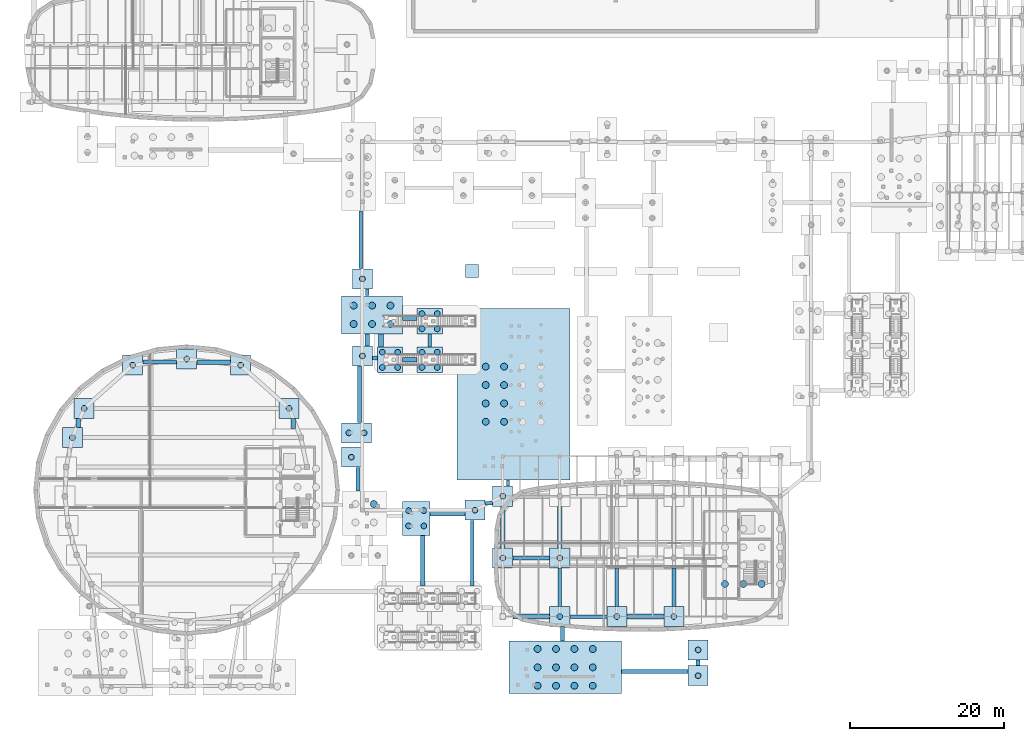
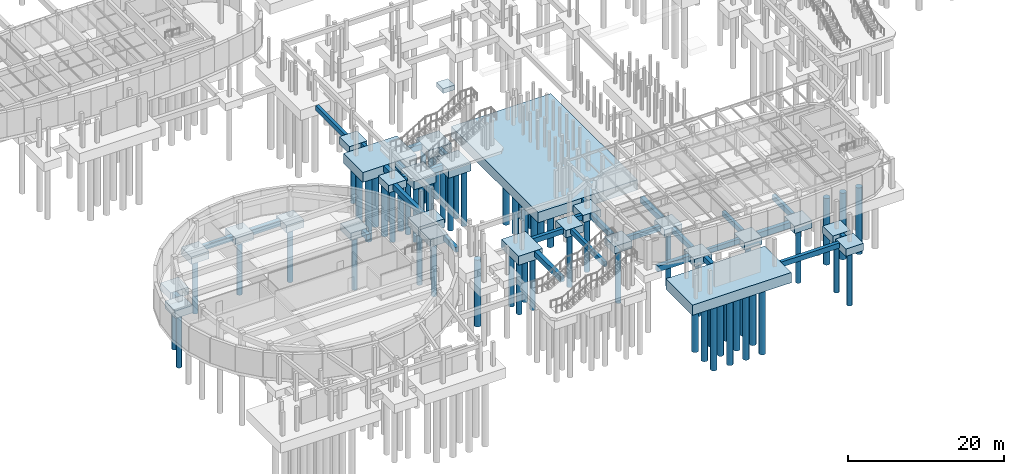
# One storey, part 2 of 45: 66 piles, 58 footings.
"""IFC4 building model written with IfcOpenShell, lengths in metres."""

from ifc_helpers import new_model, si_unit, direction, frame, origin, origin_2d, place, context, subcontext, project, spatial, rectangle, circle, extrude, material, material_profile, profile_set, type_object, element, save


model = new_model("IFC4")

# Units and contexts
model_context = context("Model", 3, precision=1e-05, world=origin(), true_north=direction((0.0, 1.0)))
body_context = subcontext(model_context, "Body", "Model", "MODEL_VIEW")
ifc_project = project(units=[si_unit("LENGTHUNIT", "METRE"), si_unit("AREAUNIT", "SQUARE_METRE"), si_unit("VOLUMEUNIT", "CUBIC_METRE"), si_unit("PLANEANGLEUNIT", "RADIAN"), si_unit("MASSUNIT", "GRAM", prefix="KILO")], contexts=[model_context])

# Site, building, storey
site_placement = place(None, origin())
site = spatial("IfcSite", under=ifc_project, at=site_placement, CompositionType="ELEMENT")
building_placement = place(site_placement, origin())
building = spatial("IfcBuilding", under=site, at=building_placement, Name="Corveleigh Park Community Centre", CompositionType="ELEMENT")
storey_placement = place(building_placement, frame((0.0, 0.0, -4.199951171875)))
storey = spatial("IfcBuildingStorey", under=building, at=storey_placement, Name="B1", CompositionType="ELEMENT", Elevation=-4.199951171875)

# Footings
ifc_material_1 = material(Name="Concrete C40/50", Category="concrete")
footing_type_1 = type_object("IfcFootingType", Name="FTG-GB-450x750", PredefinedType="FOOTING_BEAM", material=ifc_material_1)
footing_1_placement = place(storey_placement, frame((54.427978515625, 53.25, -1.1650390625), z_axis=(0.0, 0.0, 1.0), x_axis=(1.0, 0.0, 0.0)))
element("IfcFooting", 1, at=footing_1_placement, inside=storey, type_object=footing_type_1, Name="Ground tie beam 57", PredefinedType="FOOTING_BEAM", context=body_context, shape_type="SweptSolid", body=[
    extrude(rectangle(XDim=0.449951171875, YDim=0.860107421875, at=origin_2d()), origin(), (0.0, 0.0, 1.0), 0.75),
])
footing_2_placement = place(storey_placement, frame((53.556884765625, 60.074951171875, -1.1650390625), z_axis=(0.0, 0.0, 1.0), x_axis=(1.0, 0.0, 0.0)))
element("IfcFooting", 2, at=footing_2_placement, inside=storey, type_object=footing_type_1, Name="Ground tie beam 65", PredefinedType="FOOTING_BEAM", context=body_context, shape_type="SweptSolid", body=[
    extrude(rectangle(XDim=0.449951171875, YDim=7.509033203125, at=origin_2d()), origin(), (0.0, 0.0, 1.0), 0.75),
])
footing_3_placement = place(storey_placement, frame((62.52001953125, 47.0, -1.1650390625), z_axis=(0.0, 0.0, 1.0), x_axis=(1.0, 0.0, 0.0)))
element("IfcFooting", 3, at=footing_3_placement, inside=storey, type_object=footing_type_1, Name="Ground tie beam 81", PredefinedType="FOOTING_BEAM", context=body_context, shape_type="SweptSolid", body=[
    extrude(rectangle(XDim=0.449951171875, YDim=1.699951171875, at=origin_2d()), origin(), (0.0, 0.0, 1.0), 0.75),
])
footing_4_placement = place(storey_placement, frame((68.031982421875, 19.4150390625, -1.1650390625), z_axis=(0.0, 0.0, 1.0), x_axis=(1.0, 0.0, 0.0)))
element("IfcFooting", 4, at=footing_4_placement, inside=storey, type_object=footing_type_1, Name="Ground tie beam 85", PredefinedType="FOOTING_BEAM", context=body_context, shape_type="SweptSolid", body=[
    extrude(rectangle(XDim=0.449951171875, YDim=8.530029296875, at=origin_2d()), origin(), (0.0, 0.0, 1.0), 0.75),
])
footing_5_placement = place(storey_placement, frame((72.68505859375, 28.52099609375, -1.1650390625), z_axis=(0.0, 0.0, 1.0), x_axis=(1.0, 0.0, 0.0)))
element("IfcFooting", 5, at=footing_5_placement, inside=storey, type_object=footing_type_1, Name="Ground tie beam 93", PredefinedType="FOOTING_BEAM", context=body_context, shape_type="SweptSolid", body=[
    extrude(rectangle(XDim=0.449951171875, YDim=0.802001953125, at=origin_2d()), origin(), (0.0, 0.0, 1.0), 0.75),
])
footing_6_placement = place(storey_placement, frame((83.10009765625, 11.199951171875, -1.1650390625), z_axis=(0.0, 0.0, 1.0), x_axis=(1.0, 0.0, 0.0)))
element("IfcFooting", 6, at=footing_6_placement, inside=storey, type_object=footing_type_1, Name="Ground tie beam 97", PredefinedType="FOOTING_BEAM", context=body_context, shape_type="SweptSolid", body=[
    extrude(rectangle(XDim=4.760009765625, YDim=0.449951171875, at=origin_2d()), origin(), (0.0, 0.0, 1.0), 0.75),
])
footing_7_placement = place(storey_placement, frame((86.800048828125, 15.0, -1.1650390625), z_axis=(0.0, 0.0, 1.0), x_axis=(1.0, 0.0, 0.0)))
element("IfcFooting", 7, at=footing_7_placement, inside=storey, type_object=footing_type_1, Name="Ground tie beam 109", PredefinedType="FOOTING_BEAM", context=body_context, shape_type="SweptSolid", body=[
    extrude(rectangle(XDim=0.449951171875, YDim=4.9599609375, at=origin_2d()), origin(), (0.0, 0.0, 1.0), 0.75),
])
footing_type_2 = type_object("IfcFootingType", Name="FTG-GB-500x800", PredefinedType="FOOTING_BEAM", material=ifc_material_1)
footing_8_placement = place(storey_placement, frame((27.5, 44.199951171875, -1.21484375), z_axis=(0.0, 0.0, 1.0), x_axis=(1.0, 0.0, 0.0)))
element("IfcFooting", 8, at=footing_8_placement, inside=storey, type_object=footing_type_2, Name="Ground tie beam 26", PredefinedType="FOOTING_BEAM", context=body_context, shape_type="SweptSolid", body=[
    extrude(rectangle(XDim=4.360107421875, YDim=0.5, at=origin_2d()), origin(), (0.0, 0.0, 1.0), 0.800048828125),
])
footing_9_placement = place(storey_placement, frame((53.22705078125, 29.011962890625, -1.21484375), z_axis=(0.0, 0.0, 1.0), x_axis=(1.0, 0.0, 0.0)))
element("IfcFooting", 9, at=footing_9_placement, inside=storey, type_object=footing_type_2, Name="Ground tie beam 62", PredefinedType="FOOTING_BEAM", context=body_context, shape_type="SweptSolid", body=[
    extrude(rectangle(XDim=0.5, YDim=3.070068359375, at=origin_2d()), origin(), (0.0, 0.0, 1.0), 0.800048828125),
])
footing_10_placement = place(storey_placement, frame((64.824951171875, 24.47412109375, -1.21484375), z_axis=(0.0, 0.0, 1.0), x_axis=(1.0, 0.0, 0.0)))
element("IfcFooting", 10, at=footing_10_placement, inside=storey, type_object=footing_type_2, Name="Ground tie beam 74", PredefinedType="FOOTING_BEAM", context=body_context, shape_type="SweptSolid", body=[
    extrude(rectangle(XDim=4.510009765625, YDim=0.5, at=origin_2d()), origin(), (0.0, 0.0, 1.0), 0.800048828125),
])
footing_11_placement = place(storey_placement, frame((70.199951171875, 25.89990234375, -1.21484375), z_axis=(0.0, 0.0, 1.0), x_axis=(1.0, 0.0, 0.0)))
element("IfcFooting", 11, at=footing_11_placement, inside=storey, type_object=footing_type_2, Name="Ground tie beam 86", PredefinedType="FOOTING_BEAM", context=body_context, shape_type="SweptSolid", body=[
    extrude(rectangle(XDim=0.9599609375, YDim=0.5, at=origin_2d()), origin(), (0.0, 0.0, 1.0), 0.800048828125),
])
footing_12_placement = place(storey_placement, frame((75.699951171875, 18.800048828125, -1.21484375), z_axis=(0.0, 0.0, 1.0), x_axis=(1.0, 0.0, 0.0)))
element("IfcFooting", 12, at=footing_12_placement, inside=storey, type_object=footing_type_2, Name="Ground tie beam 90", PredefinedType="FOOTING_BEAM", context=body_context, shape_type="SweptSolid", body=[
    extrude(rectangle(XDim=4.760009765625, YDim=0.5, at=origin_2d()), origin(), (0.0, 0.0, 1.0), 0.800048828125),
])
footing_13_placement = place(storey_placement, frame((91.720947265625, 4.072021484375, -1.21484375), z_axis=(0.0, 0.0, 1.0), x_axis=(1.0, 0.0, 0.0)))
element("IfcFooting", 13, at=footing_13_placement, inside=storey, type_object=footing_type_2, Name="Ground tie beam 94", PredefinedType="FOOTING_BEAM", context=body_context, shape_type="SweptSolid", body=[
    extrude(rectangle(XDim=8.593994140625, YDim=0.5, at=origin_2d()), origin(), (0.0, 0.0, 1.0), 0.800048828125),
])
for number, where, z_axis, x_axis, name in (
    (14, (79.39990234375, 15.0, -1.21484375), (0.0, 0.0, 1.0), (1.0, 0.0, 0.0), "Ground tie beam 98"),
    (15, (94.199951171875, 15.0, -1.21484375), (0.0, 0.0, 1.0), (1.0, 0.0, 0.0), "Ground tie beam 118"),
):
    element("IfcFooting", number, at=place(storey_placement, frame(where, z_axis=z_axis, x_axis=x_axis)), inside=storey, type_object=footing_type_2, Name=name, PredefinedType="FOOTING_BEAM", context=body_context, shape_type="SweptSolid", body=[
        extrude(rectangle(XDim=0.5, YDim=4.9599609375, at=origin_2d()), origin(), (0.0, 0.0, 1.0), 0.800048828125),
    ])
footing_type_3 = type_object("IfcFootingType", Name="FTG-GB-550x850", PredefinedType="FOOTING_BEAM", material=ifc_material_1)
footing_14_placement = place(storey_placement, frame((44.844970703125, 36.22509765625, -1.26513671875), z_axis=(0.0, 0.0, 1.0), x_axis=(1.0, 0.0, 0.0)))
element("IfcFooting", 16, at=footing_14_placement, inside=storey, type_object=footing_type_3, Name="Ground tie beam 47", PredefinedType="FOOTING_BEAM", context=body_context, shape_type="SweptSolid", body=[
    extrude(rectangle(XDim=0.550048828125, YDim=1.31005859375, at=origin_2d()), origin(), (0.0, 0.0, 1.0), 0.85009765625),
])
footing_15_placement = place(storey_placement, frame((53.4150390625, 40.010009765625, -1.26513671875), z_axis=(0.0, 0.0, 1.0), x_axis=(1.0, 0.0, 0.0)))
element("IfcFooting", 17, at=footing_15_placement, inside=storey, type_object=footing_type_3, Name="Ground tie beam 55", PredefinedType="FOOTING_BEAM", context=body_context, shape_type="SweptSolid", body=[
    extrude(rectangle(XDim=0.550048828125, YDim=7.341064453125, at=origin_2d()), origin(), (0.0, 0.0, 1.0), 0.85009765625),
])
footing_16_placement = place(storey_placement, frame((55.425048828125, 44.75, -1.26513671875), z_axis=(0.0, 0.0, 1.0), x_axis=(1.0, 0.0, 0.0)))
element("IfcFooting", 18, at=footing_16_placement, inside=storey, type_object=footing_type_3, Name="Ground tie beam 63", PredefinedType="FOOTING_BEAM", context=body_context, shape_type="SweptSolid", body=[
    extrude(rectangle(XDim=0.610107421875, YDim=0.550048828125, at=origin_2d()), origin(), (0.0, 0.0, 1.0), 0.85009765625),
])
footing_17_placement = place(storey_placement, frame((59.93994140625, 44.5, -1.26513671875), z_axis=(0.0, 0.0, 1.0), x_axis=(1.0, 0.0, 0.0)))
element("IfcFooting", 19, at=footing_17_placement, inside=storey, type_object=footing_type_3, Name="Ground tie beam 71", PredefinedType="FOOTING_BEAM", context=body_context, shape_type="SweptSolid", body=[
    extrude(rectangle(XDim=1.840087890625, YDim=0.550048828125, at=origin_2d()), origin(), (0.0, 0.0, 1.0), 0.85009765625),
])
footing_18_placement = place(storey_placement, frame((72.0, 22.800048828125, -1.26513671875), z_axis=(0.0, 0.0, 1.0), x_axis=(1.0, 0.0, 0.0)))
element("IfcFooting", 20, at=footing_18_placement, inside=storey, type_object=footing_type_3, Name="Ground tie beam 91", PredefinedType="FOOTING_BEAM", context=body_context, shape_type="SweptSolid", body=[
    extrude(rectangle(XDim=0.550048828125, YDim=5.360107421875, at=origin_2d()), origin(), (0.0, 0.0, 1.0), 0.85009765625),
])
footing_19_placement = place(storey_placement, frame((79.7509765625, 8.9580078125, -1.26513671875), z_axis=(0.0, 0.0, 1.0), x_axis=(1.0, 0.0, 0.0)))
element("IfcFooting", 21, at=footing_19_placement, inside=storey, type_object=footing_type_3, Name="Ground tie beam 95", PredefinedType="FOOTING_BEAM", context=body_context, shape_type="SweptSolid", body=[
    extrude(rectangle(XDim=0.550048828125, YDim=1.843017578125, at=origin_2d()), origin(), (0.0, 0.0, 1.0), 0.85009765625),
])
footing_20_placement = place(storey_placement, frame((97.337890625, 5.201904296875, -1.26513671875), z_axis=(0.0, 0.0, 1.0), x_axis=(1.0, 0.0, 0.0)))
element("IfcFooting", 22, at=footing_20_placement, inside=storey, type_object=footing_type_3, Name="Ground tie beam 123", PredefinedType="FOOTING_BEAM", context=body_context, shape_type="SweptSolid", body=[
    extrude(rectangle(XDim=0.550048828125, YDim=0.69091796875, at=origin_2d()), origin(), (0.0, 0.0, 1.0), 0.85009765625),
])
footing_type_4 = type_object("IfcFootingType", Name="FTG-GB-600x900", PredefinedType="FOOTING_BEAM", material=ifc_material_1)
footing_21_placement = place(storey_placement, frame((16.946044921875, 36.300048828125, -1.31494140625), z_axis=(0.0, 0.0, 1.0), x_axis=(1.0, 0.0, 0.0)))
element("IfcFooting", 23, at=footing_21_placement, inside=storey, type_object=footing_type_4, Name="Ground tie beam 12", PredefinedType="FOOTING_BEAM", context=body_context, shape_type="SweptSolid", body=[
    extrude(rectangle(XDim=0.60009765625, YDim=1.159912109375, at=origin_2d()), origin(), (0.0, 0.0, 1.0), 0.89990234375),
])
footing_22_placement = place(storey_placement, frame((34.5, 44.199951171875, -1.31494140625), z_axis=(0.0, 0.0, 1.0), x_axis=(1.0, 0.0, 0.0)))
element("IfcFooting", 24, at=footing_22_placement, inside=storey, type_object=footing_type_4, Name="Ground tie beam 36", PredefinedType="FOOTING_BEAM", context=body_context, shape_type="SweptSolid", body=[
    extrude(rectangle(XDim=4.360107421875, YDim=0.60009765625, at=origin_2d()), origin(), (0.0, 0.0, 1.0), 0.89990234375),
])
footing_23_placement = place(storey_placement, frame((59.93994140625, 49.91796875, -1.31494140625), z_axis=(0.0, 0.0, 1.0), x_axis=(1.0, 0.0, 0.0)))
element("IfcFooting", 25, at=footing_23_placement, inside=storey, type_object=footing_type_4, Name="Ground tie beam 56", PredefinedType="FOOTING_BEAM", context=body_context, shape_type="SweptSolid", body=[
    extrude(rectangle(XDim=1.840087890625, YDim=0.60009765625, at=origin_2d()), origin(), (0.0, 0.0, 1.0), 0.89990234375),
])
footing_24_placement = place(storey_placement, frame((54.427978515625, 47.0849609375, -1.31494140625), z_axis=(0.0, 0.0, 1.0), x_axis=(1.0, 0.0, 0.0)))
element("IfcFooting", 26, at=footing_24_placement, inside=storey, type_object=footing_type_4, Name="Ground tie beam 64", PredefinedType="FOOTING_BEAM", context=body_context, shape_type="SweptSolid", body=[
    extrude(rectangle(XDim=0.60009765625, YDim=1.530029296875, at=origin_2d()), origin(), (0.0, 0.0, 1.0), 0.89990234375),
])
footing_25_placement = place(storey_placement, frame((56.215087890625, 47.0, -1.31494140625), z_axis=(0.0, 0.0, 1.0), x_axis=(1.0, 0.0, 0.0)))
element("IfcFooting", 27, at=footing_25_placement, inside=storey, type_object=footing_type_4, Name="Ground tie beam 72", PredefinedType="FOOTING_BEAM", context=body_context, shape_type="SweptSolid", body=[
    extrude(rectangle(XDim=0.60009765625, YDim=1.699951171875, at=origin_2d()), origin(), (0.0, 0.0, 1.0), 0.89990234375),
])
footing_26_placement = place(storey_placement, frame((61.64892578125, 18.43701171875, -1.31494140625), z_axis=(0.0, 0.0, 1.0), x_axis=(1.0, 0.0, 0.0)))
element("IfcFooting", 28, at=footing_26_placement, inside=storey, type_object=footing_type_4, Name="Ground tie beam 80", PredefinedType="FOOTING_BEAM", context=body_context, shape_type="SweptSolid", body=[
    extrude(rectangle(XDim=0.60009765625, YDim=6.572998046875, at=origin_2d()), origin(), (0.0, 0.0, 1.0), 0.89990234375),
])
footing_27_placement = place(storey_placement, frame((75.699951171875, 11.199951171875, -1.31494140625), z_axis=(0.0, 0.0, 1.0), x_axis=(1.0, 0.0, 0.0)))
element("IfcFooting", 29, at=footing_27_placement, inside=storey, type_object=footing_type_4, Name="Ground tie beam 88", PredefinedType="FOOTING_BEAM", context=body_context, shape_type="SweptSolid", body=[
    extrude(rectangle(XDim=4.760009765625, YDim=0.60009765625, at=origin_2d()), origin(), (0.0, 0.0, 1.0), 0.89990234375),
])
footing_28_placement = place(storey_placement, frame((79.39990234375, 22.800048828125, -1.31494140625), z_axis=(0.0, 0.0, 1.0), x_axis=(1.0, 0.0, 0.0)))
element("IfcFooting", 30, at=footing_28_placement, inside=storey, type_object=footing_type_4, Name="Ground tie beam 100", PredefinedType="FOOTING_BEAM", context=body_context, shape_type="SweptSolid", body=[
    extrude(rectangle(XDim=0.60009765625, YDim=5.360107421875, at=origin_2d()), origin(), (0.0, 0.0, 1.0), 0.89990234375),
])
footing_29_placement = place(storey_placement, frame((90.5, 11.199951171875, -1.31494140625), z_axis=(0.0, 0.0, 1.0), x_axis=(1.0, 0.0, 0.0)))
element("IfcFooting", 31, at=footing_29_placement, inside=storey, type_object=footing_type_4, Name="Ground tie beam 108", PredefinedType="FOOTING_BEAM", context=body_context, shape_type="SweptSolid", body=[
    extrude(rectangle(XDim=4.760009765625, YDim=0.60009765625, at=origin_2d()), origin(), (0.0, 0.0, 1.0), 0.89990234375),
])
footing_type_5 = type_object("IfcFootingType", Name="FTG-PAD-1700", PredefinedType="PAD_FOOTING", material=ifc_material_1)
footing_30_placement = place(storey_placement, frame((68.0, 56.0, 1.8798828125), z_axis=(0.0, 0.0, 1.0), x_axis=(1.0, 0.0, 0.0)))
element("IfcFooting", 32, at=footing_30_placement, inside=storey, type_object=footing_type_5, Name="Landscape pavilion pad footing 6", PredefinedType="PAD_FOOTING", context=body_context, shape_type="SweptSolid", body=[
    extrude(rectangle(XDim=1.699951171875, YDim=1.699951171875, at=origin_2d()), origin(), (0.0, 0.0, 1.0), 0.719970703125),
])
footing_type_6 = type_object("IfcFootingType", Name="FTG-PC-2600x2600x1150", PredefinedType="PILE_CAP", material=ifc_material_1)
for number, where, z_axis, x_axis, name in (
    (33, (16.180908203125, 34.39990234375, -1.56494140625), (0.0, 0.0, 1.0), (1.0, 0.0, 0.0), "Pile cap 9"),
    (34, (17.7099609375, 38.199951171875, -1.56494140625), (0.0, 0.0, 1.0), (1.0, 0.0, 0.0), "Pile cap 11"),
    (35, (24.0, 43.800048828125, -1.56494140625), (0.0, 0.0, 1.0), (1.0, 0.0, 0.0), "Pile cap 21"),
    (36, (31.0, 44.60009765625, -1.56494140625), (0.0, 0.0, 1.0), (1.0, 0.0, 0.0), "Pile cap 28"),
    (37, (38.0, 43.800048828125, -1.56494140625), (0.0, 0.0, 1.0), (1.0, 0.0, 0.0), "Pile cap 35"),
    (38, (44.2900390625, 38.199951171875, -1.56494140625), (0.0, 0.0, 1.0), (1.0, 0.0, 0.0), "Pile cap 41"),
    (39, (52.367919921875, 31.866943359375, -1.56494140625), (0.0, 0.0, 1.0), (1.0, 0.0, 0.0), "Pile cap 52"),
    (40, (53.800048828125, 45.0, -1.56494140625), (0.0, 0.0, 1.0), (1.0, 0.0, 0.0), "Pile cap 53"),
    (41, (53.800048828125, 55.0, -1.56494140625), (0.0, 0.0, 1.0), (1.0, 0.0, 0.0), "Pile cap 54"),
    (42, (68.39990234375, 25.0, -1.56494140625), (0.0, 0.0, 1.0), (1.0, 0.0, 0.0), "Pile cap 73"),
    (43, (72.0, 18.800048828125, -1.56494140625), (0.0, 0.0, 1.0), (1.0, 0.0, 0.0), "Pile cap 76"),
    (44, (72.0, 26.800048828125, -1.56494140625), (0.0, 0.0, 1.0), (1.0, 0.0, 0.0), "Pile cap 77"),
    (45, (79.39990234375, 11.199951171875, -1.56494140625), (0.0, 0.0, 1.0), (1.0, 0.0, 0.0), "Pile cap 80"),
    (46, (79.39990234375, 18.800048828125, -1.56494140625), (0.0, 0.0, 1.0), (1.0, 0.0, 0.0), "Pile cap 81"),
    (47, (86.800048828125, 11.199951171875, -1.56494140625), (0.0, 0.0, 1.0), (1.0, 0.0, 0.0), "Pile cap 87"),
    (48, (94.199951171875, 11.199951171875, -1.56494140625), (0.0, 0.0, 1.0), (1.0, 0.0, 0.0), "Pile cap 94"),
    (49, (97.337890625, 3.535888671875, -1.56494140625), (0.0, 0.0, 1.0), (1.0, 0.0, 0.0), "Pile cap 98"),
    (50, (97.337890625, 6.866943359375, -1.56494140625), (0.0, 0.0, 1.0), (1.0, 0.0, 0.0), "Pile cap 99"),
):
    element("IfcFooting", number, at=place(storey_placement, frame(where, z_axis=z_axis, x_axis=x_axis)), inside=storey, type_object=footing_type_6, Name=name, PredefinedType="PILE_CAP", context=body_context, shape_type="SweptSolid", body=[
        extrude(rectangle(XDim=2.60009765625, YDim=2.60009765625, at=origin_2d()), origin(), (0.0, 0.0, 1.0), 1.14990234375),
    ])
footing_type_7 = type_object("IfcFootingType", Name="FTG-PC-3200x3200x1300", PredefinedType="PILE_CAP", material=ifc_material_1)
footing_31_placement = place(storey_placement, frame((57.375, 44.5, -1.71484375), z_axis=(0.0, 0.0, 1.0), x_axis=(1.0, 0.0, 0.0)))
element("IfcFooting", 51, at=footing_31_placement, inside=storey, type_object=footing_type_7, Name="Pile cap 60", PredefinedType="PILE_CAP", context=body_context, shape_type="SweptSolid", body=[
    extrude(rectangle(XDim=3.25, YDim=3.260009765625, at=origin_2d()), origin(), (0.0, 0.0, 1.0), 1.300048828125),
])
for number, where, z_axis, x_axis, name in (
    (52, (62.52001953125, 44.5, -1.71484375), (0.0, 0.0, 1.0), (1.0, 0.0, 0.0), "Pile cap 67"),
    (53, (62.52001953125, 49.5, -1.71484375), (0.0, 0.0, 1.0), (1.0, 0.0, 0.0), "Pile cap 68"),
):
    element("IfcFooting", number, at=place(storey_placement, frame(where, z_axis=z_axis, x_axis=x_axis)), inside=storey, type_object=footing_type_7, Name=name, PredefinedType="PILE_CAP", context=body_context, shape_type="SweptSolid", body=[
        extrude(rectangle(XDim=3.280029296875, YDim=3.260009765625, at=origin_2d()), origin(), (0.0, 0.0, 1.0), 1.300048828125),
    ])
footing_type_8 = type_object("IfcFootingType", Name="FTG-PC-3800x3200x1350", PredefinedType="PILE_CAP", material=ifc_material_1)
footing_32_placement = place(storey_placement, frame((53.031005859375, 35.01904296875, -1.76513671875), z_axis=(0.0, 0.0, 1.0), x_axis=(1.0, 0.0, 0.0)))
element("IfcFooting", 54, at=footing_32_placement, inside=storey, type_object=footing_type_8, Name="Pile cap 47", PredefinedType="PILE_CAP", context=body_context, shape_type="SweptSolid", body=[
    extrude(rectangle(XDim=3.839111328125, YDim=2.60009765625, at=origin_2d()), origin(), (0.0, 0.0, 1.0), 1.35009765625),
])
footing_type_9 = type_object("IfcFootingType", Name="FTG-PC-4600x3400x1400", PredefinedType="PILE_CAP", material=ifc_material_1)
footing_33_placement = place(storey_placement, frame((60.778076171875, 23.947021484375, -1.81494140625), z_axis=(0.0, 0.0, 1.0), x_axis=(1.0, 0.0, 0.0)))
element("IfcFooting", 55, at=footing_33_placement, inside=storey, type_object=footing_type_9, Name="Pile cap 62", PredefinedType="PILE_CAP", context=body_context, shape_type="SweptSolid", body=[
    extrude(rectangle(XDim=3.544921875, YDim=4.406982421875, at=origin_2d()), origin(), (0.0, 0.0, 1.0), 1.39990234375),
])
footing_type_10 = type_object("IfcFootingType", Name="FTG-PC-8400x6000x1550", PredefinedType="PILE_CAP", material=ifc_material_1)
footing_34_placement = place(storey_placement, frame((55.055908203125, 50.3349609375, -1.96484375), z_axis=(0.0, 0.0, 1.0), x_axis=(1.0, 0.0, 0.0)))
element("IfcFooting", 56, at=footing_34_placement, inside=storey, type_object=footing_type_10, Name="Pile cap 48", PredefinedType="PILE_CAP", context=body_context, shape_type="SweptSolid", body=[
    extrude(rectangle(XDim=7.888916015625, YDim=4.929931640625, at=origin_2d()), origin(), (0.0, 0.0, 1.0), 1.550048828125),
])
footing_type_11 = type_object("IfcFootingType", Name="FTG-PC-9800x7200x1600", PredefinedType="PILE_CAP", material=ifc_material_1)
footing_35_placement = place(storey_placement, frame((73.3701171875, 40.035888671875, -2.01513671875), z_axis=(0.0, 0.0, 1.0), x_axis=(1.0, 0.0, 0.0)))
element("IfcFooting", 57, at=footing_35_placement, inside=storey, type_object=footing_type_11, Name="Pile cap 72", PredefinedType="PILE_CAP", context=body_context, shape_type="SweptSolid", body=[
    extrude(rectangle(XDim=14.659912109375, YDim=22.18798828125, at=origin_2d()), origin(), (0.0, 0.0, 1.0), 1.60009765625),
])
footing_36_placement = place(storey_placement, frame((80.10205078125, 4.60791015625, -2.01513671875), z_axis=(0.0, 0.0, 1.0), x_axis=(1.0, 0.0, 0.0)))
element("IfcFooting", 58, at=footing_36_placement, inside=storey, type_object=footing_type_11, Name="Pile cap 78", PredefinedType="PILE_CAP", context=body_context, shape_type="SweptSolid", body=[
    extrude(rectangle(XDim=14.60400390625, YDim=6.81689453125, at=origin_2d()), origin(), (0.0, 0.0, 1.0), 1.60009765625),
])

# Piles
ifc_material_2 = material(Name="Concrete C32/40", Category="concrete")
ifc_material_profile_1 = material_profile(ifc_material_2, circle(Radius=0.375, at=origin_2d()), Name="BORED-PILE-750", Category="concrete")
ifc_profile_set_1 = profile_set([ifc_material_profile_1], Name="Concrete C32/40")
pile_type_1 = type_object("IfcPileType", Name="PIL-BRD-750", PredefinedType="BORED", material=ifc_profile_set_1)
for number, where, z_axis, x_axis, name in (
    (59, (16.180908203125, 34.39990234375, -1.465087890625), (0.0, 0.0, -1.0), (1.0, 0.0, 0.0), "Rotary bored pile C9-1"),
    (60, (17.7099609375, 38.199951171875, -1.465087890625), (0.0, 0.0, -1.0), (1.0, 0.0, 0.0), "Rotary bored pile C11-1"),
    (61, (24.0, 43.800048828125, -1.465087890625), (0.0, 0.0, -1.0), (1.0, 0.0, 0.0), "Rotary bored pile C21-1"),
    (62, (31.0, 44.60009765625, -1.465087890625), (0.0, 0.0, -1.0), (1.0, 0.0, 0.0), "Rotary bored pile C28-1"),
    (63, (38.0, 43.800048828125, -1.465087890625), (0.0, 0.0, -1.0), (1.0, 0.0, 0.0), "Rotary bored pile C35-1"),
    (64, (44.2900390625, 38.199951171875, -1.465087890625), (0.0, 0.0, -1.0), (1.0, 0.0, 0.0), "Rotary bored pile C41-1"),
):
    element("IfcPile", number, at=place(storey_placement, frame(where, z_axis=z_axis, x_axis=x_axis)), inside=storey, type_object=pile_type_1, Name=name, PredefinedType="BORED", context=body_context, shape_type="SweptSolid", body=[
        extrude(circle(Radius=0.375, at=origin_2d()), origin(), (0.0, 0.0, 1.0), 8.8349609375),
    ])
for number, where, z_axis, x_axis, name in (
    (65, (52.0380859375, 35.01904296875, -1.6650390625), (0.0, 0.0, -1.0), (1.0, 0.0, 0.0), "Rotary bored pile C47-1"),
    (66, (54.02490234375, 35.01904296875, -1.6650390625), (0.0, 0.0, -1.0), (1.0, 0.0, 0.0), "Rotary bored pile C47-2"),
):
    element("IfcPile", number, at=place(storey_placement, frame(where, z_axis=z_axis, x_axis=x_axis)), inside=storey, type_object=pile_type_1, Name=name, PredefinedType="BORED", context=body_context, shape_type="SweptSolid", body=[
        extrude(circle(Radius=0.375, at=origin_2d()), origin(), (0.0, 0.0, 1.0), 8.635009765625),
    ])
for number, where, z_axis, x_axis, name in (
    (67, (52.367919921875, 31.866943359375, -1.465087890625), (0.0, 0.0, -1.0), (1.0, 0.0, 0.0), "Rotary bored pile C52-1"),
    (68, (53.800048828125, 45.0, -1.465087890625), (0.0, 0.0, -1.0), (1.0, 0.0, 0.0), "Rotary bored pile C53-1"),
    (69, (53.800048828125, 55.0, -1.465087890625), (0.0, 0.0, -1.0), (1.0, 0.0, 0.0), "Rotary bored pile C54-1"),
):
    element("IfcPile", number, at=place(storey_placement, frame(where, z_axis=z_axis, x_axis=x_axis)), inside=storey, type_object=pile_type_1, Name=name, PredefinedType="BORED", context=body_context, shape_type="SweptSolid", body=[
        extrude(circle(Radius=0.375, at=origin_2d()), origin(), (0.0, 0.0, 1.0), 8.8349609375),
    ])
for number, where, z_axis, x_axis, name in (
    (70, (56.382080078125, 43.507080078125, -1.614990234375), (0.0, 0.0, -1.0), (1.0, 0.0, 0.0), "Rotary bored pile C60-1"),
    (71, (56.382080078125, 45.493896484375, -1.614990234375), (0.0, 0.0, -1.0), (1.0, 0.0, 0.0), "Rotary bored pile C60-2"),
    (72, (58.368896484375, 43.507080078125, -1.614990234375), (0.0, 0.0, -1.0), (1.0, 0.0, 0.0), "Rotary bored pile C60-3"),
    (73, (58.368896484375, 45.493896484375, -1.614990234375), (0.0, 0.0, -1.0), (1.0, 0.0, 0.0), "Rotary bored pile C60-4"),
):
    element("IfcPile", number, at=place(storey_placement, frame(where, z_axis=z_axis, x_axis=x_axis)), inside=storey, type_object=pile_type_1, Name=name, PredefinedType="BORED", context=body_context, shape_type="SweptSolid", body=[
        extrude(circle(Radius=0.375, at=origin_2d()), origin(), (0.0, 0.0, 1.0), 8.68505859375),
    ])
for number, where, z_axis, x_axis, name in (
    (74, (59.784912109375, 22.952880859375, -1.715087890625), (0.0, 0.0, -1.0), (1.0, 0.0, 0.0), "Rotary bored pile C62-1"),
    (75, (59.784912109375, 24.94091796875, -1.715087890625), (0.0, 0.0, -1.0), (1.0, 0.0, 0.0), "Rotary bored pile C62-2"),
    (76, (61.77197265625, 22.952880859375, -1.715087890625), (0.0, 0.0, -1.0), (1.0, 0.0, 0.0), "Rotary bored pile C62-3"),
    (77, (61.77197265625, 24.94091796875, -1.715087890625), (0.0, 0.0, -1.0), (1.0, 0.0, 0.0), "Rotary bored pile C62-4"),
):
    element("IfcPile", number, at=place(storey_placement, frame(where, z_axis=z_axis, x_axis=x_axis)), inside=storey, type_object=pile_type_1, Name=name, PredefinedType="BORED", context=body_context, shape_type="SweptSolid", body=[
        extrude(circle(Radius=0.375, at=origin_2d()), origin(), (0.0, 0.0, 1.0), 8.5849609375),
    ])
for number, where, z_axis, x_axis, name in (
    (78, (61.527099609375, 43.507080078125, -1.614990234375), (0.0, 0.0, -1.0), (1.0, 0.0, 0.0), "Rotary bored pile C67-1"),
    (79, (61.527099609375, 45.493896484375, -1.614990234375), (0.0, 0.0, -1.0), (1.0, 0.0, 0.0), "Rotary bored pile C67-2"),
    (80, (63.513916015625, 43.507080078125, -1.614990234375), (0.0, 0.0, -1.0), (1.0, 0.0, 0.0), "Rotary bored pile C67-3"),
    (81, (63.513916015625, 45.493896484375, -1.614990234375), (0.0, 0.0, -1.0), (1.0, 0.0, 0.0), "Rotary bored pile C67-4"),
    (82, (61.527099609375, 48.507080078125, -1.614990234375), (0.0, 0.0, -1.0), (1.0, 0.0, 0.0), "Rotary bored pile C68-1"),
    (83, (61.527099609375, 50.493896484375, -1.614990234375), (0.0, 0.0, -1.0), (1.0, 0.0, 0.0), "Rotary bored pile C68-2"),
    (84, (63.513916015625, 48.507080078125, -1.614990234375), (0.0, 0.0, -1.0), (1.0, 0.0, 0.0), "Rotary bored pile C68-3"),
    (85, (63.513916015625, 50.493896484375, -1.614990234375), (0.0, 0.0, -1.0), (1.0, 0.0, 0.0), "Rotary bored pile C68-4"),
):
    element("IfcPile", number, at=place(storey_placement, frame(where, z_axis=z_axis, x_axis=x_axis)), inside=storey, type_object=pile_type_1, Name=name, PredefinedType="BORED", context=body_context, shape_type="SweptSolid", body=[
        extrude(circle(Radius=0.375, at=origin_2d()), origin(), (0.0, 0.0, 1.0), 8.68505859375),
    ])
for number, where, z_axis, x_axis, name in (
    (86, (68.39990234375, 25.0, -1.465087890625), (0.0, 0.0, -1.0), (1.0, 0.0, 0.0), "Rotary bored pile C73-1"),
    (87, (72.0, 18.800048828125, -1.465087890625), (0.0, 0.0, -1.0), (1.0, 0.0, 0.0), "Rotary bored pile C76-1"),
    (88, (72.0, 26.800048828125, -1.465087890625), (0.0, 0.0, -1.0), (1.0, 0.0, 0.0), "Rotary bored pile C77-1"),
    (89, (79.39990234375, 11.199951171875, -1.465087890625), (0.0, 0.0, -1.0), (1.0, 0.0, 0.0), "Rotary bored pile C80-1"),
    (90, (79.39990234375, 18.800048828125, -1.465087890625), (0.0, 0.0, -1.0), (1.0, 0.0, 0.0), "Rotary bored pile C81-1"),
    (91, (86.800048828125, 11.199951171875, -1.465087890625), (0.0, 0.0, -1.0), (1.0, 0.0, 0.0), "Rotary bored pile C87-1"),
    (92, (94.199951171875, 11.199951171875, -1.465087890625), (0.0, 0.0, -1.0), (1.0, 0.0, 0.0), "Rotary bored pile C94-1"),
    (93, (97.337890625, 3.535888671875, -1.465087890625), (0.0, 0.0, -1.0), (1.0, 0.0, 0.0), "Rotary bored pile C98-1"),
    (94, (97.337890625, 6.866943359375, -1.465087890625), (0.0, 0.0, -1.0), (1.0, 0.0, 0.0), "Rotary bored pile C99-1"),
):
    element("IfcPile", number, at=place(storey_placement, frame(where, z_axis=z_axis, x_axis=x_axis)), inside=storey, type_object=pile_type_1, Name=name, PredefinedType="BORED", context=body_context, shape_type="SweptSolid", body=[
        extrude(circle(Radius=0.375, at=origin_2d()), origin(), (0.0, 0.0, 1.0), 8.8349609375),
    ])
ifc_material_profile_2 = material_profile(ifc_material_2, circle(Radius=0.449951171875, at=origin_2d()), Name="BORED-PILE-900", Category="concrete")
ifc_profile_set_2 = profile_set([ifc_material_profile_2], Name="Concrete C32/40")
pile_type_2 = type_object("IfcPileType", Name="PIL-BRD-900", PredefinedType="BORED", material=ifc_profile_set_2)
for number, where, z_axis, x_axis, name in (
    (95, (52.6708984375, 49.14208984375, -1.864990234375), (0.0, 0.0, -1.0), (1.0, 0.0, 0.0), "Rotary bored pile C48-1"),
    (96, (52.6708984375, 51.527099609375, -1.864990234375), (0.0, 0.0, -1.0), (1.0, 0.0, 0.0), "Rotary bored pile C48-2"),
    (97, (55.055908203125, 49.14208984375, -1.864990234375), (0.0, 0.0, -1.0), (1.0, 0.0, 0.0), "Rotary bored pile C48-3"),
    (98, (55.055908203125, 51.527099609375, -1.864990234375), (0.0, 0.0, -1.0), (1.0, 0.0, 0.0), "Rotary bored pile C48-4"),
    (99, (57.44091796875, 49.14208984375, -1.864990234375), (0.0, 0.0, -1.0), (1.0, 0.0, 0.0), "Rotary bored pile C48-5"),
    (100, (57.44091796875, 51.527099609375, -1.864990234375), (0.0, 0.0, -1.0), (1.0, 0.0, 0.0), "Rotary bored pile C48-6"),
    (101, (55.278076171875, 25.79296875, -1.864990234375), (0.0, 0.0, -1.0), (1.0, 0.0, 0.0), "Rotary bored pile C51-4"),
):
    element("IfcPile", number, at=place(storey_placement, frame(where, z_axis=z_axis, x_axis=x_axis)), inside=storey, type_object=pile_type_2, Name=name, PredefinedType="BORED", context=body_context, shape_type="SweptSolid", body=[
        extrude(circle(Radius=0.449951171875, at=origin_2d()), origin(), (0.0, 0.0, 1.0), 10.43505859375),
    ])
for number, where, z_axis, x_axis, name in (
    (102, (69.79296875, 36.458984375, -1.9150390625), (0.0, 0.0, -1.0), (1.0, 0.0, 0.0), "Rotary bored pile C72-1"),
    (103, (69.79296875, 38.843017578125, -1.9150390625), (0.0, 0.0, -1.0), (1.0, 0.0, 0.0), "Rotary bored pile C72-2"),
    (104, (69.79296875, 41.22802734375, -1.9150390625), (0.0, 0.0, -1.0), (1.0, 0.0, 0.0), "Rotary bored pile C72-3"),
    (105, (69.79296875, 43.614013671875, -1.9150390625), (0.0, 0.0, -1.0), (1.0, 0.0, 0.0), "Rotary bored pile C72-4"),
    (106, (72.177978515625, 36.458984375, -1.9150390625), (0.0, 0.0, -1.0), (1.0, 0.0, 0.0), "Rotary bored pile C72-5"),
    (107, (72.177978515625, 38.843017578125, -1.9150390625), (0.0, 0.0, -1.0), (1.0, 0.0, 0.0), "Rotary bored pile C72-6"),
    (108, (72.177978515625, 41.22802734375, -1.9150390625), (0.0, 0.0, -1.0), (1.0, 0.0, 0.0), "Rotary bored pile C72-7"),
    (109, (72.177978515625, 43.614013671875, -1.9150390625), (0.0, 0.0, -1.0), (1.0, 0.0, 0.0), "Rotary bored pile C72-8"),
    (110, (76.52490234375, 2.222900390625, -1.9150390625), (0.0, 0.0, -1.0), (1.0, 0.0, 0.0), "Rotary bored pile C78-1"),
    (111, (76.52490234375, 4.60791015625, -1.9150390625), (0.0, 0.0, -1.0), (1.0, 0.0, 0.0), "Rotary bored pile C78-2"),
    (112, (76.52490234375, 6.992919921875, -1.9150390625), (0.0, 0.0, -1.0), (1.0, 0.0, 0.0), "Rotary bored pile C78-3"),
    (113, (78.909912109375, 2.222900390625, -1.9150390625), (0.0, 0.0, -1.0), (1.0, 0.0, 0.0), "Rotary bored pile C78-4"),
    (114, (78.909912109375, 4.60791015625, -1.9150390625), (0.0, 0.0, -1.0), (1.0, 0.0, 0.0), "Rotary bored pile C78-5"),
    (115, (78.909912109375, 6.992919921875, -1.9150390625), (0.0, 0.0, -1.0), (1.0, 0.0, 0.0), "Rotary bored pile C78-6"),
    (116, (81.2939453125, 2.222900390625, -1.9150390625), (0.0, 0.0, -1.0), (1.0, 0.0, 0.0), "Rotary bored pile C78-7"),
    (117, (81.2939453125, 4.60791015625, -1.9150390625), (0.0, 0.0, -1.0), (1.0, 0.0, 0.0), "Rotary bored pile C78-8"),
    (118, (81.2939453125, 6.992919921875, -1.9150390625), (0.0, 0.0, -1.0), (1.0, 0.0, 0.0), "Rotary bored pile C78-9"),
    (119, (83.679931640625, 2.222900390625, -1.9150390625), (0.0, 0.0, -1.0), (1.0, 0.0, 0.0), "Rotary bored pile C78-10"),
    (120, (83.679931640625, 4.60791015625, -1.9150390625), (0.0, 0.0, -1.0), (1.0, 0.0, 0.0), "Rotary bored pile C78-11"),
    (121, (83.679931640625, 6.992919921875, -1.9150390625), (0.0, 0.0, -1.0), (1.0, 0.0, 0.0), "Rotary bored pile C78-12"),
    (122, (100.822998046875, 15.422119140625, -1.9150390625), (0.0, 0.0, -1.0), (1.0, 0.0, 0.0), "Rotary bored pile C100-1"),
    (123, (103.2080078125, 15.422119140625, -1.9150390625), (0.0, 0.0, -1.0), (1.0, 0.0, 0.0), "Rotary bored pile C100-5"),
    (124, (105.593017578125, 15.422119140625, -1.9150390625), (0.0, 0.0, -1.0), (1.0, 0.0, 0.0), "Rotary bored pile C100-9"),
):
    element("IfcPile", number, at=place(storey_placement, frame(where, z_axis=z_axis, x_axis=x_axis)), inside=storey, type_object=pile_type_2, Name=name, PredefinedType="BORED", context=body_context, shape_type="SweptSolid", body=[
        extrude(circle(Radius=0.449951171875, at=origin_2d()), origin(), (0.0, 0.0, 1.0), 10.385009765625),
    ])

save(model, "model.ifc")
